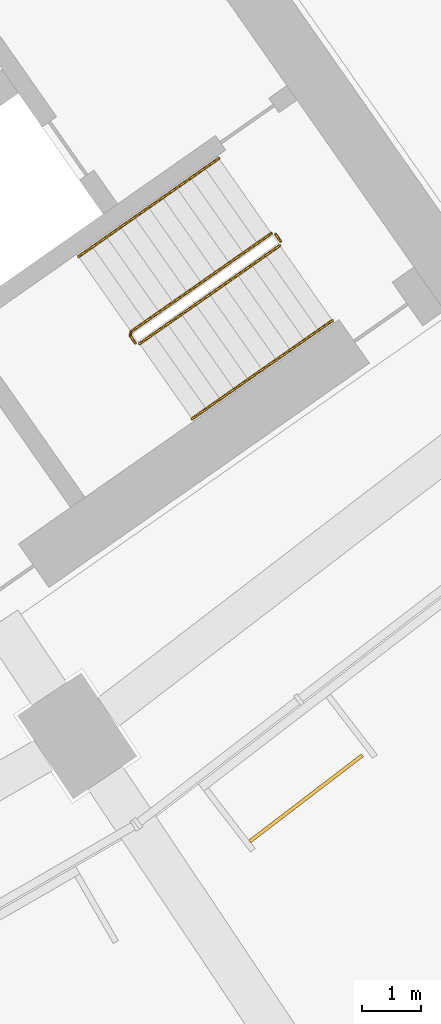
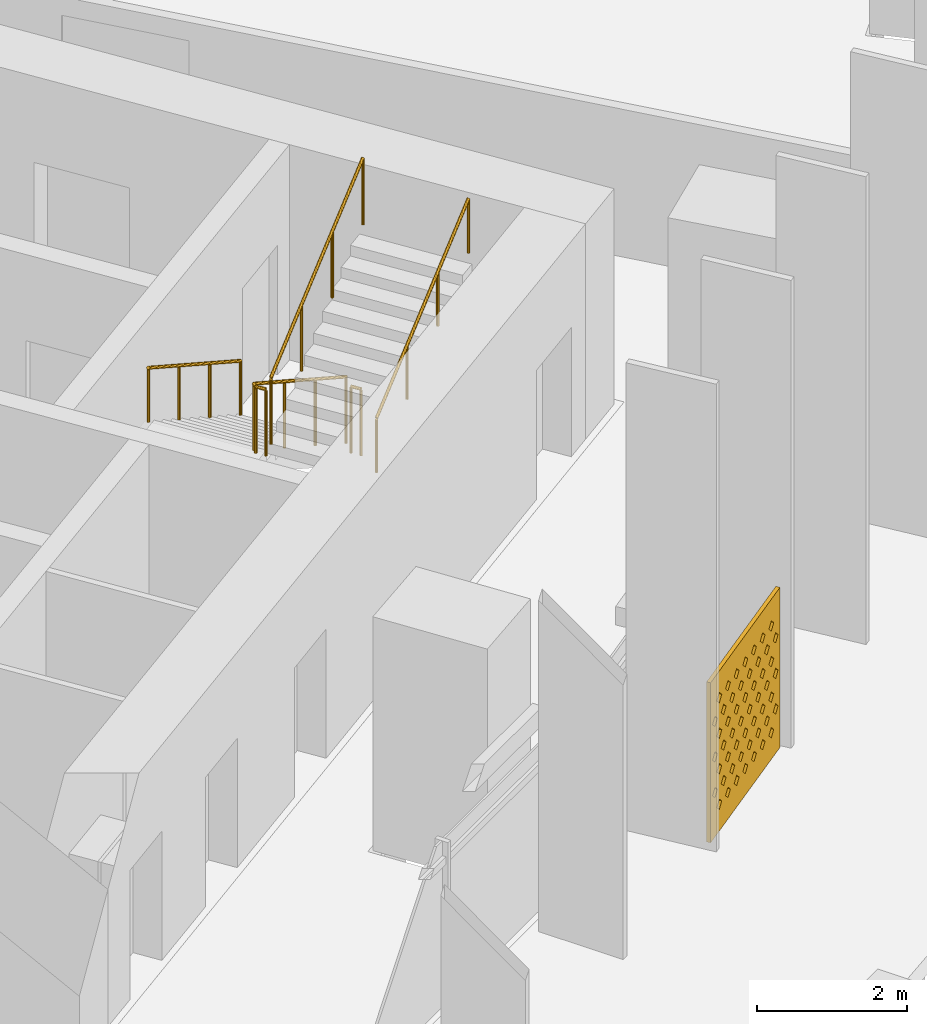
# One storey, part 32 of 35: 5 railings, 1 shading device.
"""IFC4 building model written with IfcOpenShell, lengths in metres."""

from ifc_helpers import new_model, si_unit, direction, frame, origin, origin_2d, place, context, subcontext, project, spatial, polyline, circle, outline, extrude, material, material_profile, profile_set, type_object, element, save


model = new_model("IFC4")

# Units and contexts
model_context = context("Model", 3, precision=1e-05, world=origin(), true_north=direction((0.0, 1.0)))
body_context = subcontext(model_context, "Body", "Model", "MODEL_VIEW")
ifc_project = project(units=[si_unit("LENGTHUNIT", "METRE"), si_unit("AREAUNIT", "SQUARE_METRE"), si_unit("VOLUMEUNIT", "CUBIC_METRE"), si_unit("PLANEANGLEUNIT", "RADIAN"), si_unit("MASSUNIT", "GRAM", prefix="KILO")], contexts=[model_context])

# Site, building, storey
site_placement = place(None, origin())
site = spatial("IfcSite", under=ifc_project, at=site_placement, CompositionType="ELEMENT")
building_placement = place(site_placement, origin())
building = spatial("IfcBuilding", under=site, at=building_placement, Name="Qamariyya Broadcast Tower", CompositionType="ELEMENT")
storey_placement = place(building_placement, frame((0.0, 0.0, 40.5)))
storey = spatial("IfcBuildingStorey", under=building, at=storey_placement, Name="L06", CompositionType="ELEMENT", Elevation=40.5)

# Shading device
ifc_material_1 = material(Name="Perforated glazed terracotta", Category="masonry")
ifc_material_profile = material_profile(ifc_material_1, outline(polyline([(-1.199951171875, -1.300048828125), (1.199951171875, -1.300048828125), (1.199951171875, 1.300048828125), (-1.199951171875, 1.300048828125), (-1.199951171875, -1.300048828125)]), holes=[polyline([(-0.81494140625, -0.86669921875), (-0.89990234375, -0.78173828125), (-0.985107421875, -0.86669921875), (-0.89990234375, -0.95166015625), (-0.81494140625, -0.86669921875)]), polyline([(-0.514892578125, -0.86669921875), (-0.60009765625, -0.78173828125), (-0.68505859375, -0.86669921875), (-0.60009765625, -0.95166015625), (-0.514892578125, -0.86669921875)]), polyline([(-0.215087890625, -0.86669921875), (-0.300048828125, -0.78173828125), (-0.385009765625, -0.86669921875), (-0.300048828125, -0.95166015625), (-0.215087890625, -0.86669921875)]), polyline([(0.0849609375, -0.86669921875), (0.0, -0.78173828125), (-0.0849609375, -0.86669921875), (0.0, -0.95166015625), (0.0849609375, -0.86669921875)]), polyline([(0.385009765625, -0.86669921875), (0.300048828125, -0.78173828125), (0.215087890625, -0.86669921875), (0.300048828125, -0.95166015625), (0.385009765625, -0.86669921875)]), polyline([(0.68505859375, -0.86669921875), (0.60009765625, -0.78173828125), (0.514892578125, -0.86669921875), (0.60009765625, -0.95166015625), (0.68505859375, -0.86669921875)]), polyline([(0.985107421875, -0.86669921875), (0.89990234375, -0.78173828125), (0.81494140625, -0.86669921875), (0.89990234375, -0.95166015625), (0.985107421875, -0.86669921875)]), polyline([(-0.965087890625, -0.577880859375), (-1.050048828125, -0.49267578125), (-1.135009765625, -0.577880859375), (-1.050048828125, -0.662841796875), (-0.965087890625, -0.577880859375)]), polyline([(-0.6650390625, -0.577880859375), (-0.75, -0.49267578125), (-0.8349609375, -0.577880859375), (-0.75, -0.662841796875), (-0.6650390625, -0.577880859375)]), polyline([(-0.364990234375, -0.577880859375), (-0.449951171875, -0.49267578125), (-0.534912109375, -0.577880859375), (-0.449951171875, -0.662841796875), (-0.364990234375, -0.577880859375)]), polyline([(-0.06494140625, -0.577880859375), (-0.14990234375, -0.49267578125), (-0.235107421875, -0.577880859375), (-0.14990234375, -0.662841796875), (-0.06494140625, -0.577880859375)]), polyline([(0.235107421875, -0.577880859375), (0.14990234375, -0.49267578125), (0.06494140625, -0.577880859375), (0.14990234375, -0.662841796875), (0.235107421875, -0.577880859375)]), polyline([(0.534912109375, -0.577880859375), (0.449951171875, -0.49267578125), (0.364990234375, -0.577880859375), (0.449951171875, -0.662841796875), (0.534912109375, -0.577880859375)]), polyline([(0.8349609375, -0.577880859375), (0.75, -0.49267578125), (0.6650390625, -0.577880859375), (0.75, -0.662841796875), (0.8349609375, -0.577880859375)]), polyline([(1.135009765625, -0.577880859375), (1.050048828125, -0.49267578125), (0.965087890625, -0.577880859375), (1.050048828125, -0.662841796875), (1.135009765625, -0.577880859375)]), polyline([(-0.81494140625, -0.288818359375), (-0.89990234375, -0.203857421875), (-0.985107421875, -0.288818359375), (-0.89990234375, -0.373779296875), (-0.81494140625, -0.288818359375)]), polyline([(-0.514892578125, -0.288818359375), (-0.60009765625, -0.203857421875), (-0.68505859375, -0.288818359375), (-0.60009765625, -0.373779296875), (-0.514892578125, -0.288818359375)]), polyline([(-0.215087890625, -0.288818359375), (-0.300048828125, -0.203857421875), (-0.385009765625, -0.288818359375), (-0.300048828125, -0.373779296875), (-0.215087890625, -0.288818359375)]), polyline([(0.0849609375, -0.288818359375), (0.0, -0.203857421875), (-0.0849609375, -0.288818359375), (0.0, -0.373779296875), (0.0849609375, -0.288818359375)]), polyline([(0.385009765625, -0.288818359375), (0.300048828125, -0.203857421875), (0.215087890625, -0.288818359375), (0.300048828125, -0.373779296875), (0.385009765625, -0.288818359375)]), polyline([(0.68505859375, -0.288818359375), (0.60009765625, -0.203857421875), (0.514892578125, -0.288818359375), (0.60009765625, -0.373779296875), (0.68505859375, -0.288818359375)]), polyline([(0.985107421875, -0.288818359375), (0.89990234375, -0.203857421875), (0.81494140625, -0.288818359375), (0.89990234375, -0.373779296875), (0.985107421875, -0.288818359375)]), polyline([(-0.965087890625, 0.0), (-1.050048828125, 0.0849609375), (-1.135009765625, 0.0), (-1.050048828125, -0.0849609375), (-0.965087890625, 0.0)]), polyline([(-0.6650390625, 0.0), (-0.75, 0.0849609375), (-0.8349609375, 0.0), (-0.75, -0.0849609375), (-0.6650390625, 0.0)]), polyline([(-0.364990234375, 0.0), (-0.449951171875, 0.0849609375), (-0.534912109375, 0.0), (-0.449951171875, -0.0849609375), (-0.364990234375, 0.0)]), polyline([(-0.06494140625, 0.0), (-0.14990234375, 0.0849609375), (-0.235107421875, 0.0), (-0.14990234375, -0.0849609375), (-0.06494140625, 0.0)]), polyline([(0.235107421875, 0.0), (0.14990234375, 0.0849609375), (0.06494140625, 0.0), (0.14990234375, -0.0849609375), (0.235107421875, 0.0)]), polyline([(0.534912109375, 0.0), (0.449951171875, 0.0849609375), (0.364990234375, 0.0), (0.449951171875, -0.0849609375), (0.534912109375, 0.0)]), polyline([(0.8349609375, 0.0), (0.75, 0.0849609375), (0.6650390625, 0.0), (0.75, -0.0849609375), (0.8349609375, 0.0)]), polyline([(1.135009765625, 0.0), (1.050048828125, 0.0849609375), (0.965087890625, 0.0), (1.050048828125, -0.0849609375), (1.135009765625, 0.0)]), polyline([(-0.81494140625, 0.288818359375), (-0.89990234375, 0.373779296875), (-0.985107421875, 0.288818359375), (-0.89990234375, 0.203857421875), (-0.81494140625, 0.288818359375)]), polyline([(-0.514892578125, 0.288818359375), (-0.60009765625, 0.373779296875), (-0.68505859375, 0.288818359375), (-0.60009765625, 0.203857421875), (-0.514892578125, 0.288818359375)]), polyline([(-0.215087890625, 0.288818359375), (-0.300048828125, 0.373779296875), (-0.385009765625, 0.288818359375), (-0.300048828125, 0.203857421875), (-0.215087890625, 0.288818359375)]), polyline([(0.0849609375, 0.288818359375), (0.0, 0.373779296875), (-0.0849609375, 0.288818359375), (0.0, 0.203857421875), (0.0849609375, 0.288818359375)]), polyline([(0.385009765625, 0.288818359375), (0.300048828125, 0.373779296875), (0.215087890625, 0.288818359375), (0.300048828125, 0.203857421875), (0.385009765625, 0.288818359375)]), polyline([(0.68505859375, 0.288818359375), (0.60009765625, 0.373779296875), (0.514892578125, 0.288818359375), (0.60009765625, 0.203857421875), (0.68505859375, 0.288818359375)]), polyline([(0.985107421875, 0.288818359375), (0.89990234375, 0.373779296875), (0.81494140625, 0.288818359375), (0.89990234375, 0.203857421875), (0.985107421875, 0.288818359375)]), polyline([(-0.965087890625, 0.577880859375), (-1.050048828125, 0.662841796875), (-1.135009765625, 0.577880859375), (-1.050048828125, 0.49267578125), (-0.965087890625, 0.577880859375)]), polyline([(-0.6650390625, 0.577880859375), (-0.75, 0.662841796875), (-0.8349609375, 0.577880859375), (-0.75, 0.49267578125), (-0.6650390625, 0.577880859375)]), polyline([(-0.364990234375, 0.577880859375), (-0.449951171875, 0.662841796875), (-0.534912109375, 0.577880859375), (-0.449951171875, 0.49267578125), (-0.364990234375, 0.577880859375)]), polyline([(-0.06494140625, 0.577880859375), (-0.14990234375, 0.662841796875), (-0.235107421875, 0.577880859375), (-0.14990234375, 0.49267578125), (-0.06494140625, 0.577880859375)]), polyline([(0.235107421875, 0.577880859375), (0.14990234375, 0.662841796875), (0.06494140625, 0.577880859375), (0.14990234375, 0.49267578125), (0.235107421875, 0.577880859375)]), polyline([(0.534912109375, 0.577880859375), (0.449951171875, 0.662841796875), (0.364990234375, 0.577880859375), (0.449951171875, 0.49267578125), (0.534912109375, 0.577880859375)]), polyline([(0.8349609375, 0.577880859375), (0.75, 0.662841796875), (0.6650390625, 0.577880859375), (0.75, 0.49267578125), (0.8349609375, 0.577880859375)]), polyline([(1.135009765625, 0.577880859375), (1.050048828125, 0.662841796875), (0.965087890625, 0.577880859375), (1.050048828125, 0.49267578125), (1.135009765625, 0.577880859375)]), polyline([(-0.81494140625, 0.86669921875), (-0.89990234375, 0.95166015625), (-0.985107421875, 0.86669921875), (-0.89990234375, 0.78173828125), (-0.81494140625, 0.86669921875)]), polyline([(-0.514892578125, 0.86669921875), (-0.60009765625, 0.95166015625), (-0.68505859375, 0.86669921875), (-0.60009765625, 0.78173828125), (-0.514892578125, 0.86669921875)]), polyline([(-0.215087890625, 0.86669921875), (-0.300048828125, 0.95166015625), (-0.385009765625, 0.86669921875), (-0.300048828125, 0.78173828125), (-0.215087890625, 0.86669921875)]), polyline([(0.0849609375, 0.86669921875), (0.0, 0.95166015625), (-0.0849609375, 0.86669921875), (0.0, 0.78173828125), (0.0849609375, 0.86669921875)]), polyline([(0.385009765625, 0.86669921875), (0.300048828125, 0.95166015625), (0.215087890625, 0.86669921875), (0.300048828125, 0.78173828125), (0.385009765625, 0.86669921875)]), polyline([(0.68505859375, 0.86669921875), (0.60009765625, 0.95166015625), (0.514892578125, 0.86669921875), (0.60009765625, 0.78173828125), (0.68505859375, 0.86669921875)]), polyline([(0.985107421875, 0.86669921875), (0.89990234375, 0.95166015625), (0.81494140625, 0.86669921875), (0.89990234375, 0.78173828125), (0.985107421875, 0.86669921875)])]))
ifc_profile_set = profile_set([ifc_material_profile], Name="Perforated glazed terracotta")
shading_device_type = type_object("IfcShadingDeviceType", Name="Perforated terracotta screen 2400 x 2600", PredefinedType="USERDEFINED", material=ifc_profile_set)
shading_device_placement = place(storey_placement, frame((47.04931640625, -65.680419921875, 1.35009765625), z_axis=(0.607147566278, -0.794589096806, 0.0), x_axis=(0.794589096806, 0.607147566278, 0.0)))
element("IfcShadingDevice", 1, at=shading_device_placement, inside=storey, type_object=shading_device_type, Name="e-scr-L06-13-0", ObjectType="SCREEN", PredefinedType="USERDEFINED", context=body_context, shape_type="SweptSolid", body=[
    extrude(outline(polyline([(-1.199951171875, -1.300048828125), (1.199951171875, -1.300048828125), (1.199951171875, 1.300048828125), (-1.199951171875, 1.300048828125), (-1.199951171875, -1.300048828125)]), holes=[polyline([(-0.81494140625, -0.86669921875), (-0.89990234375, -0.78173828125), (-0.985107421875, -0.86669921875), (-0.89990234375, -0.95166015625), (-0.81494140625, -0.86669921875)]), polyline([(-0.514892578125, -0.86669921875), (-0.60009765625, -0.78173828125), (-0.68505859375, -0.86669921875), (-0.60009765625, -0.95166015625), (-0.514892578125, -0.86669921875)]), polyline([(-0.215087890625, -0.86669921875), (-0.300048828125, -0.78173828125), (-0.385009765625, -0.86669921875), (-0.300048828125, -0.95166015625), (-0.215087890625, -0.86669921875)]), polyline([(0.0849609375, -0.86669921875), (0.0, -0.78173828125), (-0.0849609375, -0.86669921875), (0.0, -0.95166015625), (0.0849609375, -0.86669921875)]), polyline([(0.385009765625, -0.86669921875), (0.300048828125, -0.78173828125), (0.215087890625, -0.86669921875), (0.300048828125, -0.95166015625), (0.385009765625, -0.86669921875)]), polyline([(0.68505859375, -0.86669921875), (0.60009765625, -0.78173828125), (0.514892578125, -0.86669921875), (0.60009765625, -0.95166015625), (0.68505859375, -0.86669921875)]), polyline([(0.985107421875, -0.86669921875), (0.89990234375, -0.78173828125), (0.81494140625, -0.86669921875), (0.89990234375, -0.95166015625), (0.985107421875, -0.86669921875)]), polyline([(-0.965087890625, -0.577880859375), (-1.050048828125, -0.49267578125), (-1.135009765625, -0.577880859375), (-1.050048828125, -0.662841796875), (-0.965087890625, -0.577880859375)]), polyline([(-0.6650390625, -0.577880859375), (-0.75, -0.49267578125), (-0.8349609375, -0.577880859375), (-0.75, -0.662841796875), (-0.6650390625, -0.577880859375)]), polyline([(-0.364990234375, -0.577880859375), (-0.449951171875, -0.49267578125), (-0.534912109375, -0.577880859375), (-0.449951171875, -0.662841796875), (-0.364990234375, -0.577880859375)]), polyline([(-0.06494140625, -0.577880859375), (-0.14990234375, -0.49267578125), (-0.235107421875, -0.577880859375), (-0.14990234375, -0.662841796875), (-0.06494140625, -0.577880859375)]), polyline([(0.235107421875, -0.577880859375), (0.14990234375, -0.49267578125), (0.06494140625, -0.577880859375), (0.14990234375, -0.662841796875), (0.235107421875, -0.577880859375)]), polyline([(0.534912109375, -0.577880859375), (0.449951171875, -0.49267578125), (0.364990234375, -0.577880859375), (0.449951171875, -0.662841796875), (0.534912109375, -0.577880859375)]), polyline([(0.8349609375, -0.577880859375), (0.75, -0.49267578125), (0.6650390625, -0.577880859375), (0.75, -0.662841796875), (0.8349609375, -0.577880859375)]), polyline([(1.135009765625, -0.577880859375), (1.050048828125, -0.49267578125), (0.965087890625, -0.577880859375), (1.050048828125, -0.662841796875), (1.135009765625, -0.577880859375)]), polyline([(-0.81494140625, -0.288818359375), (-0.89990234375, -0.203857421875), (-0.985107421875, -0.288818359375), (-0.89990234375, -0.373779296875), (-0.81494140625, -0.288818359375)]), polyline([(-0.514892578125, -0.288818359375), (-0.60009765625, -0.203857421875), (-0.68505859375, -0.288818359375), (-0.60009765625, -0.373779296875), (-0.514892578125, -0.288818359375)]), polyline([(-0.215087890625, -0.288818359375), (-0.300048828125, -0.203857421875), (-0.385009765625, -0.288818359375), (-0.300048828125, -0.373779296875), (-0.215087890625, -0.288818359375)]), polyline([(0.0849609375, -0.288818359375), (0.0, -0.203857421875), (-0.0849609375, -0.288818359375), (0.0, -0.373779296875), (0.0849609375, -0.288818359375)]), polyline([(0.385009765625, -0.288818359375), (0.300048828125, -0.203857421875), (0.215087890625, -0.288818359375), (0.300048828125, -0.373779296875), (0.385009765625, -0.288818359375)]), polyline([(0.68505859375, -0.288818359375), (0.60009765625, -0.203857421875), (0.514892578125, -0.288818359375), (0.60009765625, -0.373779296875), (0.68505859375, -0.288818359375)]), polyline([(0.985107421875, -0.288818359375), (0.89990234375, -0.203857421875), (0.81494140625, -0.288818359375), (0.89990234375, -0.373779296875), (0.985107421875, -0.288818359375)]), polyline([(-0.965087890625, 0.0), (-1.050048828125, 0.0849609375), (-1.135009765625, 0.0), (-1.050048828125, -0.0849609375), (-0.965087890625, 0.0)]), polyline([(-0.6650390625, 0.0), (-0.75, 0.0849609375), (-0.8349609375, 0.0), (-0.75, -0.0849609375), (-0.6650390625, 0.0)]), polyline([(-0.364990234375, 0.0), (-0.449951171875, 0.0849609375), (-0.534912109375, 0.0), (-0.449951171875, -0.0849609375), (-0.364990234375, 0.0)]), polyline([(-0.06494140625, 0.0), (-0.14990234375, 0.0849609375), (-0.235107421875, 0.0), (-0.14990234375, -0.0849609375), (-0.06494140625, 0.0)]), polyline([(0.235107421875, 0.0), (0.14990234375, 0.0849609375), (0.06494140625, 0.0), (0.14990234375, -0.0849609375), (0.235107421875, 0.0)]), polyline([(0.534912109375, 0.0), (0.449951171875, 0.0849609375), (0.364990234375, 0.0), (0.449951171875, -0.0849609375), (0.534912109375, 0.0)]), polyline([(0.8349609375, 0.0), (0.75, 0.0849609375), (0.6650390625, 0.0), (0.75, -0.0849609375), (0.8349609375, 0.0)]), polyline([(1.135009765625, 0.0), (1.050048828125, 0.0849609375), (0.965087890625, 0.0), (1.050048828125, -0.0849609375), (1.135009765625, 0.0)]), polyline([(-0.81494140625, 0.288818359375), (-0.89990234375, 0.373779296875), (-0.985107421875, 0.288818359375), (-0.89990234375, 0.203857421875), (-0.81494140625, 0.288818359375)]), polyline([(-0.514892578125, 0.288818359375), (-0.60009765625, 0.373779296875), (-0.68505859375, 0.288818359375), (-0.60009765625, 0.203857421875), (-0.514892578125, 0.288818359375)]), polyline([(-0.215087890625, 0.288818359375), (-0.300048828125, 0.373779296875), (-0.385009765625, 0.288818359375), (-0.300048828125, 0.203857421875), (-0.215087890625, 0.288818359375)]), polyline([(0.0849609375, 0.288818359375), (0.0, 0.373779296875), (-0.0849609375, 0.288818359375), (0.0, 0.203857421875), (0.0849609375, 0.288818359375)]), polyline([(0.385009765625, 0.288818359375), (0.300048828125, 0.373779296875), (0.215087890625, 0.288818359375), (0.300048828125, 0.203857421875), (0.385009765625, 0.288818359375)]), polyline([(0.68505859375, 0.288818359375), (0.60009765625, 0.373779296875), (0.514892578125, 0.288818359375), (0.60009765625, 0.203857421875), (0.68505859375, 0.288818359375)]), polyline([(0.985107421875, 0.288818359375), (0.89990234375, 0.373779296875), (0.81494140625, 0.288818359375), (0.89990234375, 0.203857421875), (0.985107421875, 0.288818359375)]), polyline([(-0.965087890625, 0.577880859375), (-1.050048828125, 0.662841796875), (-1.135009765625, 0.577880859375), (-1.050048828125, 0.49267578125), (-0.965087890625, 0.577880859375)]), polyline([(-0.6650390625, 0.577880859375), (-0.75, 0.662841796875), (-0.8349609375, 0.577880859375), (-0.75, 0.49267578125), (-0.6650390625, 0.577880859375)]), polyline([(-0.364990234375, 0.577880859375), (-0.449951171875, 0.662841796875), (-0.534912109375, 0.577880859375), (-0.449951171875, 0.49267578125), (-0.364990234375, 0.577880859375)]), polyline([(-0.06494140625, 0.577880859375), (-0.14990234375, 0.662841796875), (-0.235107421875, 0.577880859375), (-0.14990234375, 0.49267578125), (-0.06494140625, 0.577880859375)]), polyline([(0.235107421875, 0.577880859375), (0.14990234375, 0.662841796875), (0.06494140625, 0.577880859375), (0.14990234375, 0.49267578125), (0.235107421875, 0.577880859375)]), polyline([(0.534912109375, 0.577880859375), (0.449951171875, 0.662841796875), (0.364990234375, 0.577880859375), (0.449951171875, 0.49267578125), (0.534912109375, 0.577880859375)]), polyline([(0.8349609375, 0.577880859375), (0.75, 0.662841796875), (0.6650390625, 0.577880859375), (0.75, 0.49267578125), (0.8349609375, 0.577880859375)]), polyline([(1.135009765625, 0.577880859375), (1.050048828125, 0.662841796875), (0.965087890625, 0.577880859375), (1.050048828125, 0.49267578125), (1.135009765625, 0.577880859375)]), polyline([(-0.81494140625, 0.86669921875), (-0.89990234375, 0.95166015625), (-0.985107421875, 0.86669921875), (-0.89990234375, 0.78173828125), (-0.81494140625, 0.86669921875)]), polyline([(-0.514892578125, 0.86669921875), (-0.60009765625, 0.95166015625), (-0.68505859375, 0.86669921875), (-0.60009765625, 0.78173828125), (-0.514892578125, 0.86669921875)]), polyline([(-0.215087890625, 0.86669921875), (-0.300048828125, 0.95166015625), (-0.385009765625, 0.86669921875), (-0.300048828125, 0.78173828125), (-0.215087890625, 0.86669921875)]), polyline([(0.0849609375, 0.86669921875), (0.0, 0.95166015625), (-0.0849609375, 0.86669921875), (0.0, 0.78173828125), (0.0849609375, 0.86669921875)]), polyline([(0.385009765625, 0.86669921875), (0.300048828125, 0.95166015625), (0.215087890625, 0.86669921875), (0.300048828125, 0.78173828125), (0.385009765625, 0.86669921875)]), polyline([(0.68505859375, 0.86669921875), (0.60009765625, 0.95166015625), (0.514892578125, 0.86669921875), (0.60009765625, 0.78173828125), (0.68505859375, 0.86669921875)]), polyline([(0.985107421875, 0.86669921875), (0.89990234375, 0.95166015625), (0.81494140625, 0.86669921875), (0.89990234375, 0.78173828125), (0.985107421875, 0.86669921875)])]), origin(), (0.0, 0.0, 1.0), 0.059814453125),
])

# Railings
ifc_material_2 = material(Name="Painted steel", Category="steel")
railing_type_1 = type_object("IfcRailingType", Name="Stair guard", PredefinedType="GUARDRAIL", material=ifc_material_2)
railing_1_placement = place(storey_placement, frame((46.48095703125, -56.14306640625, 0.172607421875)))
element("IfcRailing", 2, at=railing_1_placement, inside=storey, type_object=railing_type_1, Name="L06 ST-E1 stair guard 1", PredefinedType="GUARDRAIL", context=body_context, shape_type="SweptSolid", body=[
    extrude(circle(Radius=0.02392578125, at=origin_2d()), frame((0.0, 0.0, 1.076171875), z_axis=(-0.703770094002, -0.492783725636, 0.511734163933), x_axis=(0.573575343427, -0.819152809562, 0.0)), (0.0, 0.0, 1.0), 3.37548828125),
    extrude(circle(Radius=0.02392578125, at=origin_2d()), frame((-2.37548828125, -1.663330078125, 2.80322265625), z_axis=(-0.176149252506, -0.984363469884, 0.0), x_axis=(0.984363469884, -0.176149252506, 0.0)), (0.0, 0.0, 1.0), 0.07080078125),
    extrude(circle(Radius=0.02392578125, at=origin_2d()), frame((-2.387939453125, -1.73291015625, 2.80322265625), z_axis=(0.574444878118, -0.818543268254, 0.0), x_axis=(0.818543268254, 0.574444878118, 0.0)), (0.0, 0.0, 1.0), 0.150146484375),
    extrude(circle(Radius=0.02099609375, at=origin_2d()), origin(), (0.0, 0.0, 1.0), 1.052001953125),
    extrude(circle(Radius=0.02099609375, at=origin_2d()), frame((-0.791748046875, -0.554443359375, 0.57568359375)), (0.0, 0.0, 1.0), 1.052001953125),
    extrude(circle(Radius=0.02099609375, at=origin_2d()), frame((-1.583740234375, -1.10888671875, 1.151611328125)), (0.0, 0.0, 1.0), 1.052001953125),
    extrude(circle(Radius=0.02099609375, at=origin_2d()), frame((-2.37548828125, -1.663330078125, 1.727294921875)), (0.0, 0.0, 1.0), 1.052001953125),
    extrude(circle(Radius=0.02099609375, at=origin_2d()), frame((-2.387939453125, -1.73291015625, 1.727294921875)), (0.0, 0.0, 1.0), 1.052001953125),
    extrude(circle(Radius=0.02099609375, at=origin_2d()), frame((-2.3017578125, -1.855712890625, 1.727294921875)), (0.0, 0.0, 1.0), 1.052001953125),
])
railing_2_placement = place(storey_placement, frame((44.248779296875, -58.01123046875, 2.07275390625)))
element("IfcRailing", 3, at=railing_2_placement, inside=storey, type_object=railing_type_1, Name="L06 ST-E1 stair guard 2", PredefinedType="GUARDRAIL", context=body_context, shape_type="SweptSolid", body=[
    extrude(circle(Radius=0.02392578125, at=origin_2d()), frame((0.0, 0.0, 1.076171875), z_axis=(0.703745009021, 0.492838488332, 0.511715923826), x_axis=(-0.573631830683, 0.819113253969, 0.0)), (0.0, 0.0, 1.0), 3.37548828125),
    extrude(circle(Radius=0.02099609375, at=origin_2d()), origin(), (0.0, 0.0, 1.0), 1.052001953125),
    extrude(circle(Radius=0.02099609375, at=origin_2d()), frame((0.791748046875, 0.554443359375, 0.57568359375)), (0.0, 0.0, 1.0), 1.052001953125),
    extrude(circle(Radius=0.02099609375, at=origin_2d()), frame((1.583740234375, 1.109130859375, 1.151611328125)), (0.0, 0.0, 1.0), 1.052001953125),
    extrude(circle(Radius=0.02099609375, at=origin_2d()), frame((2.37548828125, 1.66357421875, 1.727294921875)), (0.0, 0.0, 1.0), 1.052001953125),
])
railing_3_placement = place(storey_placement, frame((46.550537109375, -56.1552734375, 0.0)))
element("IfcRailing", 4, at=railing_3_placement, inside=storey, type_object=railing_type_1, Name="L06 ST-E1 stair guard 3", PredefinedType="GUARDRAIL", context=body_context, shape_type="SweptSolid", body=[
    extrude(circle(Radius=0.02392578125, at=origin_2d()), frame((0.0, 0.0, 1.076171875), z_axis=(0.574444878118, -0.818543268254, 0.0), x_axis=(0.818543268254, 0.574444878118, 0.0)), (0.0, 0.0, 1.0), 0.150146484375),
    extrude(circle(Radius=0.02099609375, at=origin_2d()), origin(), (0.0, 0.0, 1.0), 1.052001953125),
    extrude(circle(Radius=0.02099609375, at=origin_2d()), frame((0.086181640625, -0.122802734375, 0.0)), (0.0, 0.0, 1.0), 1.052001953125),
])
ifc_material_3 = material(Name="Stainless steel", Category="steel")
railing_type_2 = type_object("IfcRailingType", Name="Stair handrail", PredefinedType="HANDRAIL", material=ifc_material_3)
railing_4_placement = place(storey_placement, frame((45.591796875, -54.873291015625, 0.172607421875)))
element("IfcRailing", 5, at=railing_4_placement, inside=storey, type_object=railing_type_2, Name="L06 ST-E1 stair handrail 1", PredefinedType="HANDRAIL", context=body_context, shape_type="SweptSolid", body=[
    extrude(circle(Radius=0.02392578125, at=origin_2d()), frame((0.0, 0.0, 0.8759765625), z_axis=(-0.703770094002, -0.492783725636, 0.511734163933), x_axis=(0.573575343427, -0.819152809562, 0.0)), (0.0, 0.0, 1.0), 3.37548828125),
    extrude(circle(Radius=0.02099609375, at=origin_2d()), origin(), (0.0, 0.0, 1.0), 0.851806640625),
    extrude(circle(Radius=0.02099609375, at=origin_2d()), frame((-0.791748046875, -0.554443359375, 0.57568359375)), (0.0, 0.0, 1.0), 0.851806640625),
    extrude(circle(Radius=0.02099609375, at=origin_2d()), frame((-1.583740234375, -1.10888671875, 1.151611328125)), (0.0, 0.0, 1.0), 0.851806640625),
    extrude(circle(Radius=0.02099609375, at=origin_2d()), frame((-2.37548828125, -1.663330078125, 1.727294921875)), (0.0, 0.0, 1.0), 0.851806640625),
])
railing_5_placement = place(storey_placement, frame((45.137939453125, -59.28076171875, 2.07275390625)))
element("IfcRailing", 6, at=railing_5_placement, inside=storey, type_object=railing_type_2, Name="L06 ST-E1 stair handrail 2", PredefinedType="HANDRAIL", context=body_context, shape_type="SweptSolid", body=[
    extrude(circle(Radius=0.02392578125, at=origin_2d()), frame((0.0, 0.0, 0.8759765625), z_axis=(0.703770094002, 0.492783725636, 0.511734163933), x_axis=(-0.573575343427, 0.819152809562, 0.0)), (0.0, 0.0, 1.0), 3.37548828125),
    extrude(circle(Radius=0.02099609375, at=origin_2d()), origin(), (0.0, 0.0, 1.0), 0.851806640625),
    extrude(circle(Radius=0.02099609375, at=origin_2d()), frame((0.791748046875, 0.554443359375, 0.57568359375)), (0.0, 0.0, 1.0), 0.851806640625),
    extrude(circle(Radius=0.02099609375, at=origin_2d()), frame((1.583740234375, 1.10888671875, 1.151611328125)), (0.0, 0.0, 1.0), 0.851806640625),
    extrude(circle(Radius=0.02099609375, at=origin_2d()), frame((2.37548828125, 1.663330078125, 1.727294921875)), (0.0, 0.0, 1.0), 0.851806640625),
])

save(model, "model.ifc")
